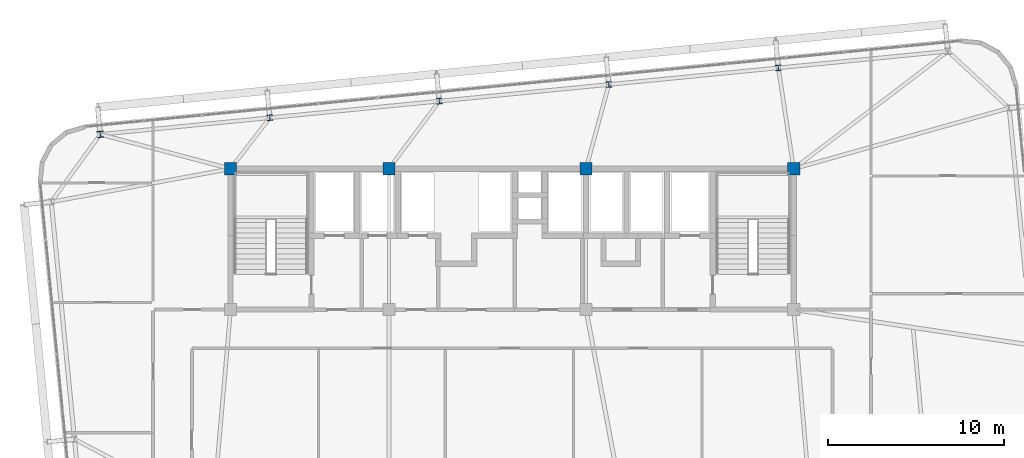
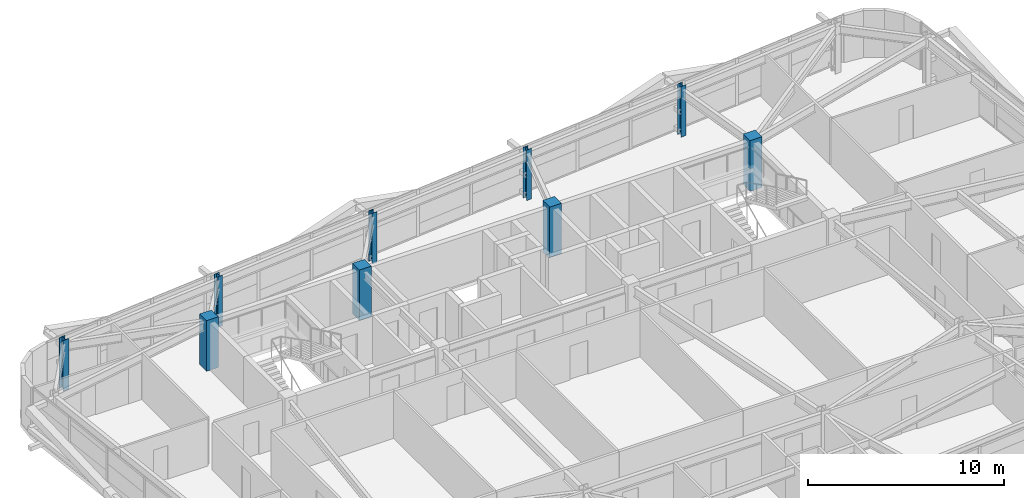
# One storey, part 3 of 52: 9 columns.
"""IFC4 building model written with IfcOpenShell, lengths in metres."""

from ifc_helpers import new_model, si_unit, direction, frame, origin, origin_2d, place, context, subcontext, project, spatial, rectangle, i_section, extrude, source, transform, mapped, material, material_profile, profile_set, type_object, element, save


model = new_model("IFC4")

# Units and contexts
model_context = context("Model", 3, precision=1e-05, world=origin(), true_north=direction((0.0, 1.0)))
body_context = subcontext(model_context, "Body", "Model", "MODEL_VIEW")
ifc_project = project(units=[si_unit("LENGTHUNIT", "METRE"), si_unit("AREAUNIT", "SQUARE_METRE"), si_unit("VOLUMEUNIT", "CUBIC_METRE"), si_unit("PLANEANGLEUNIT", "RADIAN"), si_unit("MASSUNIT", "GRAM", prefix="KILO")], contexts=[model_context])

# Site, building, storey
site_placement = place(None, origin())
site = spatial("IfcSite", under=ifc_project, at=site_placement, CompositionType="ELEMENT")
building_placement = place(site_placement, origin())
building = spatial("IfcBuilding", under=site, at=building_placement, Name="Taldren Reach Tower", CompositionType="ELEMENT")
storey_placement = place(building_placement, frame((0.0, 0.0, 96.60009765625)))
storey = spatial("IfcBuildingStorey", under=building, at=storey_placement, Name="L29", CompositionType="ELEMENT", Elevation=96.60009765625)

# Columns
ifc_material_1 = material(Name="Concrete S65 (65 MPa)", Category="concrete")
ifc_material_profile_1 = material_profile(ifc_material_1, rectangle(XDim=0.699951171875, YDim=0.699951171875, at=origin_2d()), Name="RC-700x700")
ifc_profile_set_1 = profile_set([ifc_material_profile_1], Name="Concrete S65 (65 MPa)")
column_type_1 = type_object("IfcColumnType", Name="COL-RC700", PredefinedType="COLUMN", material=ifc_profile_set_1)
shared_shape_1 = source(origin(), body_context, "Body", "SweptSolid", [
    extrude(rectangle(XDim=0.699951171875, YDim=0.699951171875, at=origin_2d()), origin(), (0.0, 0.0, 1.0), 3.14990234375),
])
for number, where, z_axis, x_axis, name in (
    (1, (19.0, 32.0, 0.0), (0.0, 0.0, 1.0), (1.0, 0.0, 0.0), "Mega column MC-C5 L29"),
    (2, (28.0, 32.0, 0.0), (0.0, 0.0, 1.0), (1.0, 0.0, 0.0), "Mega column MC-C6 L29"),
    (3, (39.199951171875, 32.0, 0.0), (0.0, 0.0, 1.0), (1.0, 0.0, 0.0), "Mega column MC-C7 L29"),
    (4, (51.0, 32.0, 0.0), (0.0, 0.0, 1.0), (1.0, 0.0, 0.0), "Mega column MC-C8 L29"),
):
    element("IfcColumn", number, at=place(storey_placement, frame(where, z_axis=z_axis, x_axis=x_axis)), inside=storey, type_object=column_type_1, Name=name, PredefinedType="COLUMN", context=body_context, shape_type="MappedRepresentation", body=[
        mapped(shared_shape_1, transform((0.0, 0.0, 0.0), scale=1.0)),
    ])
ifc_material_2 = material(Name="Steel Gr 350 (350PLUS)", Category="steel")
ifc_material_profile_2 = material_profile(ifc_material_2, i_section(OverallWidth=0.35009765625, OverallDepth=0.35595703125, WebThickness=0.01806640625, FlangeThickness=0.028076171875, at=origin_2d()), Name="350WC197")
ifc_profile_set_2 = profile_set([ifc_material_profile_2], Name="Steel Gr 350 (350PLUS)")
column_type_2 = type_object("IfcColumnType", Name="COL-WC350", PredefinedType="COLUMN", material=ifc_profile_set_2)
shared_shape_2 = source(origin(), body_context, "Body", "SweptSolid", [
    extrude(i_section(OverallWidth=0.35009765625, OverallDepth=0.35595703125, WebThickness=0.01806640625, FlangeThickness=0.028076171875, at=origin_2d()), origin(), (0.0, 0.0, 1.0), 3.14990234375),
])
column_placement = place(storey_placement, frame((11.596923828125, 33.956787109375, 0.0), z_axis=(0.0, 0.0, 1.0), x_axis=(0.995227399982, 0.097582899759, 0.0)))
element("IfcColumn", 5, at=column_placement, inside=storey, type_object=column_type_2, Name="Block B2 perimeter column N1 L29", PredefinedType="COLUMN", context=body_context, shape_type="MappedRepresentation", body=[
    mapped(shared_shape_2, transform((0.0, 0.0, 0.0), scale=1.0)),
])
ifc_material_profile_3 = material_profile(ifc_material_2, i_section(OverallWidth=0.306884765625, OverallDepth=0.31494140625, WebThickness=0.011962890625, FlangeThickness=0.018798828125, at=origin_2d()), Name="310UC118")
ifc_profile_set_3 = profile_set([ifc_material_profile_3], Name="Steel Gr 350 (350PLUS)")
column_type_3 = type_object("IfcColumnType", Name="COL-UC310B", PredefinedType="COLUMN", material=ifc_profile_set_3)
shared_shape_3 = source(origin(), body_context, "Body", "SweptSolid", [
    extrude(i_section(OverallWidth=0.306884765625, OverallDepth=0.31494140625, WebThickness=0.011962890625, FlangeThickness=0.018798828125, at=origin_2d()), origin(), (0.0, 0.0, 1.0), 3.14990234375),
])
for number, where, z_axis, x_axis, name in (
    (6, (21.230712890625, 34.9013671875, 0.0), (0.0, 0.0, 1.0), (0.995227399982, 0.097582899759, 0.0), "Block B2 perimeter column N2 L29"),
    (7, (30.864501953125, 35.84619140625, 0.0), (0.0, 0.0, 1.0), (0.995227399982, 0.097582899759, 0.0), "Block B2 perimeter column N3 L29"),
    (8, (40.498291015625, 36.790771484375, 0.0), (0.0, 0.0, 1.0), (0.995227399982, 0.097582899759, 0.0), "Block B2 perimeter column N4 L29"),
    (9, (50.132080078125, 37.7353515625, 0.0), (0.0, 0.0, 1.0), (0.995227399982, 0.097582899759, 0.0), "Block B2 perimeter column N5 L29"),
):
    element("IfcColumn", number, at=place(storey_placement, frame(where, z_axis=z_axis, x_axis=x_axis)), inside=storey, type_object=column_type_3, Name=name, PredefinedType="COLUMN", context=body_context, shape_type="MappedRepresentation", body=[
        mapped(shared_shape_3, transform((0.0, 0.0, 0.0), scale=1.0)),
    ])

save(model, "model.ifc")
